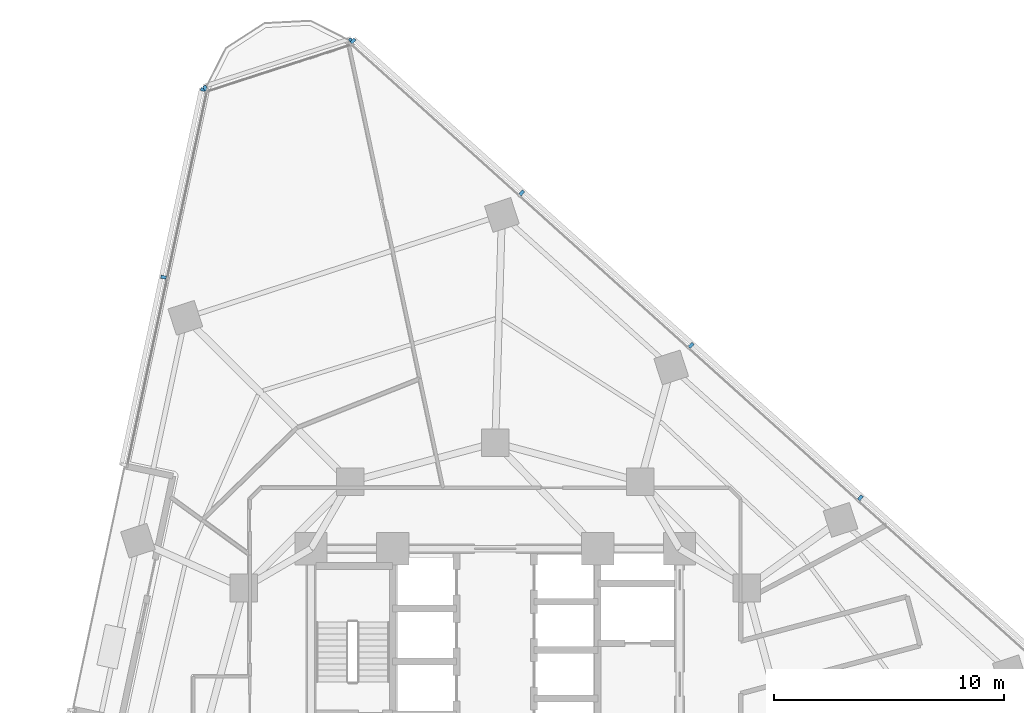
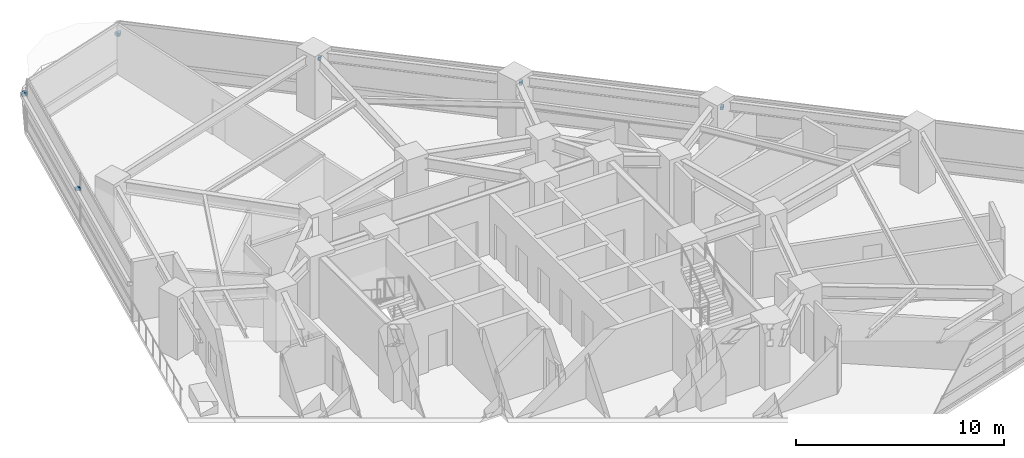
# One storey, part 11 of 14: 8 discrete accessories.
"""IFC4 building model written with IfcOpenShell, lengths in metres."""

from ifc_helpers import new_model, si_unit, direction, frame, origin, origin_2d, place, context, subcontext, project, spatial, rectangle, extrude, material, type_object, element, save


model = new_model("IFC4")

# Units and contexts
model_context = context("Model", 3, precision=1e-05, world=origin(), true_north=direction((0.0, 1.0)))
body_context = subcontext(model_context, "Body", "Model", "MODEL_VIEW")
ifc_project = project(units=[si_unit("LENGTHUNIT", "METRE"), si_unit("AREAUNIT", "SQUARE_METRE"), si_unit("VOLUMEUNIT", "CUBIC_METRE"), si_unit("PLANEANGLEUNIT", "RADIAN"), si_unit("MASSUNIT", "GRAM", prefix="KILO")], contexts=[model_context])

# Site, building, storey
site_placement = place(None, origin())
site = spatial("IfcSite", under=ifc_project, at=site_placement, CompositionType="ELEMENT")
building_placement = place(site_placement, origin())
building = spatial("IfcBuilding", under=site, at=building_placement, Name="Terralouvre Media Tower", CompositionType="ELEMENT")
storey_placement = place(building_placement, frame((0.0, 0.0, 97.699951171875)))
storey = spatial("IfcBuildingStorey", under=building, at=storey_placement, Name="L24", CompositionType="ELEMENT", Elevation=97.699951171875)

# Discrete accessories
ifc_material = material(Name="Anodised extruded aluminium 6063-T6", Category="aluminium")
discrete_accessory_type = type_object("IfcDiscreteAccessoryType", Name="Mullion Stand-Off Baguette Fixing Bracket BK-01", PredefinedType="BRACKET", material=ifc_material)
for number, where, z_axis, x_axis, name in (
    (1, (15.846923828125, 10.211181640625, 2.07421875), (0.0, 0.0, 1.0), (-0.743144795545, 0.669130639602, 0.0), "CW-L24-F1 Baguette Outrigger Bracket 1.03"),
    (2, (8.498779296875, 16.82763671875, 2.07421875), (0.0, 0.0, 1.0), (-0.743144795545, 0.669130639602, 0.0), "CW-L24-F1 Baguette Outrigger Bracket 1.04"),
    (3, (1.150634765625, 23.44384765625, 2.07421875), (0.0, 0.0, 1.0), (-0.743144795545, 0.669130639602, 0.0), "CW-L24-F1 Baguette Outrigger Bracket 1.05"),
    (4, (-6.169677734375, 30.03515625, 2.07421875), (0.0, 0.0, 1.0), (-0.743144795545, 0.669130639602, 0.0), "CW-L24-F1 Baguette Outrigger Bracket 1.06"),
    (5, (-12.662841796875, 27.925537109375, 2.07421875), (0.0, 0.0, 1.0), (-0.207912038726, -0.978147526784, 0.0), "CW-L24-F2L Baguette Outrigger Bracket 1.01"),
    (6, (-14.39306640625, 19.784912109375, 2.07421875), (0.0, 0.0, 1.0), (-0.207912038726, -0.978147526784, 0.0), "CW-L24-F2L Baguette Outrigger Bracket 1.02"),
    (7, (-6.266357421875, 30.0380859375, 2.07421875), (0.0, 0.0, 1.0), (-0.951056286408, -0.309017701894, 0.0), "CW-L24-C2 Baguette Outrigger Bracket 1.01"),
    (8, (-12.58642578125, 27.984375, 2.07421875), (0.0, 0.0, 1.0), (-0.951056286408, -0.309017701894, 0.0), "CW-L24-C2 Baguette Outrigger Bracket 1.02"),
):
    element("IfcDiscreteAccessory", number, at=place(storey_placement, frame(where, z_axis=z_axis, x_axis=x_axis)), inside=storey, type_object=discrete_accessory_type, Name=name, PredefinedType="BRACKET", context=body_context, shape_type="SweptSolid", body=[
        extrude(rectangle(XDim=0.139892578125, YDim=0.239990234375, at=origin_2d()), origin(), (0.0, 0.0, 1.0), 0.179931640625),
    ])

save(model, "model.ifc")
